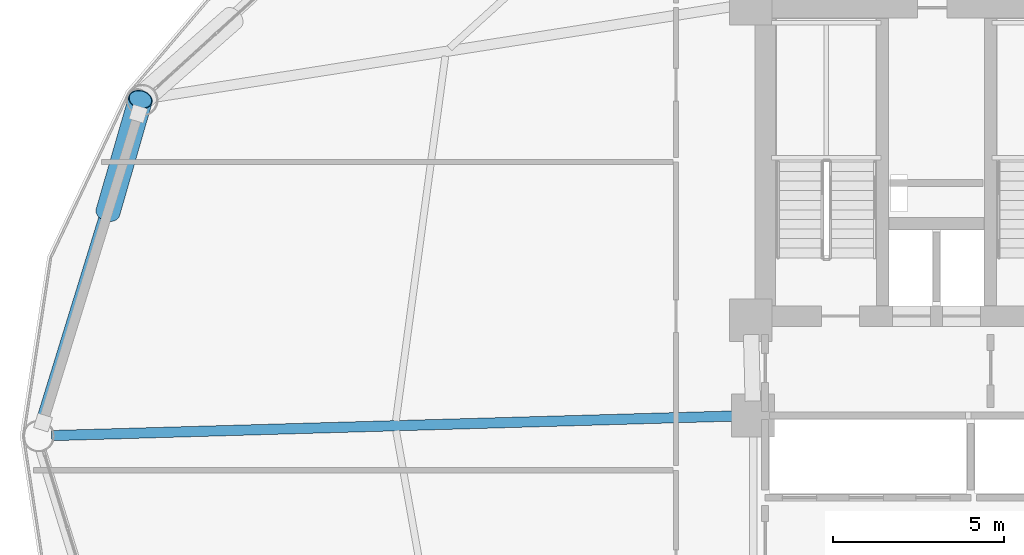
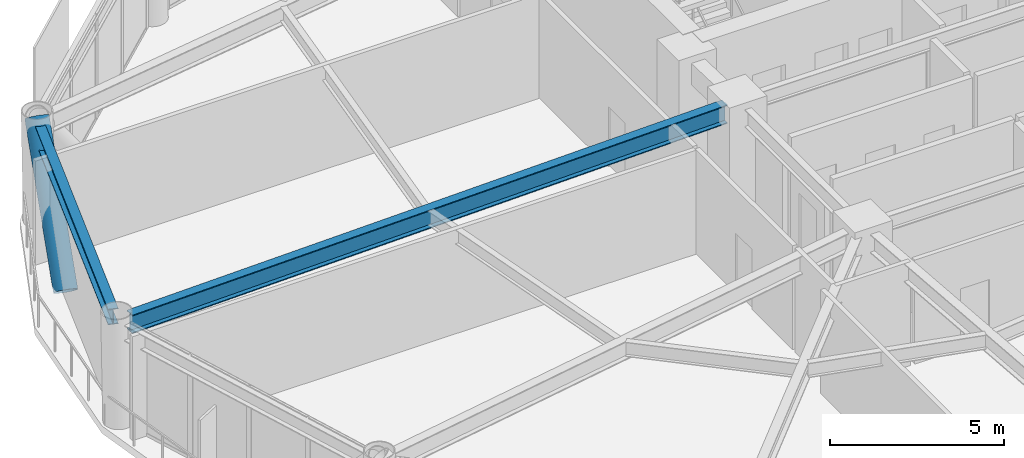
# One storey, part 9 of 25: 2 beams, 1 member.
"""IFC4 building model written with IfcOpenShell, lengths in metres."""

from ifc_helpers import new_model, si_unit, direction, frame, origin, origin_2d, place, context, subcontext, project, spatial, hollow_circle, i_section, extrude, material, material_profile, profile_set, type_object, element, save


model = new_model("IFC4")

# Units and contexts
model_context = context("Model", 3, precision=1e-05, world=origin(), true_north=direction((0.0, 1.0)))
body_context = subcontext(model_context, "Body", "Model", "MODEL_VIEW")
ifc_project = project(units=[si_unit("LENGTHUNIT", "METRE"), si_unit("AREAUNIT", "SQUARE_METRE"), si_unit("VOLUMEUNIT", "CUBIC_METRE"), si_unit("PLANEANGLEUNIT", "RADIAN"), si_unit("MASSUNIT", "GRAM", prefix="KILO")], contexts=[model_context])

# Site, building, storey
site_placement = place(None, origin())
site = spatial("IfcSite", under=ifc_project, at=site_placement, CompositionType="ELEMENT")
building_placement = place(site_placement, origin())
building = spatial("IfcBuilding", under=site, at=building_placement, Name="Varnakorn Sky Granary", CompositionType="ELEMENT")
storey_placement = place(building_placement, frame((0.0, 0.0, 70.5)))
storey = spatial("IfcBuildingStorey", under=building, at=storey_placement, Name="L17", CompositionType="ELEMENT", Elevation=70.5)

# Beams
ifc_material_1 = material(Name="Steel S355JR", Category="steel")
ifc_material_profile_1 = material_profile(ifc_material_1, i_section(OverallWidth=0.300048828125, OverallDepth=0.64990234375, WebThickness=0.01611328125, FlangeThickness=0.031005859375, at=origin_2d()), Name="HE 650 B")
ifc_profile_set_1 = profile_set([ifc_material_profile_1], Name="Steel S355JR")
beam_type_1 = type_object("IfcBeamType", Name="BM-RAD-Z1", PredefinedType="BEAM", material=ifc_profile_set_1)
beam_1_placement = place(storey_placement, frame((-2.769775390625, 0.587890625, 3.31494140625), z_axis=(-0.999588773868, -0.028675480064, 0.0), x_axis=(0.028675480064, -0.999588773868, 0.0)))
element("IfcBeam", 1, at=beam_1_placement, inside=storey, type_object=beam_type_1, Name="Radial Floor Girder RG07 L17", PredefinedType="BEAM", context=body_context, shape_type="SweptSolid", body=[
    extrude(i_section(OverallWidth=0.300048828125, OverallDepth=0.64990234375, WebThickness=0.01611328125, FlangeThickness=0.031005859375, at=origin_2d()), origin(), (0.0, 0.0, 1.0), 20.058837890625),
])
ifc_material_profile_2 = material_profile(ifc_material_1, i_section(OverallWidth=0.300048828125, OverallDepth=0.550048828125, WebThickness=0.014892578125, FlangeThickness=0.029052734375, at=origin_2d()), Name="HE 550 B")
ifc_profile_set_2 = profile_set([ifc_material_profile_2], Name="Steel S355JR")
beam_type_2 = type_object("IfcBeamType", Name="BM-SPD-Z1", PredefinedType="SPANDREL", material=ifc_profile_set_2)
beam_2_placement = place(storey_placement, frame((-20.35986328125, 9.400634765625, 3.364990234375), z_axis=(-0.29497853302, -0.95550388019, 0.0), x_axis=(0.95550388019, -0.29497853302, 0.0)))
element("IfcBeam", 2, at=beam_2_placement, inside=storey, type_object=beam_type_2, Name="Perimeter Spandrel Ring Beam RB06 L17", PredefinedType="SPANDREL", context=body_context, shape_type="SweptSolid", body=[
    extrude(i_section(OverallWidth=0.300048828125, OverallDepth=0.550048828125, WebThickness=0.014892578125, FlangeThickness=0.029052734375, at=origin_2d()), origin(), (0.0, 0.0, 1.0), 9.396484375),
])

# Member
ifc_material_2 = material(Name="Steel S460M", Category="steel")
ifc_material_profile_3 = material_profile(ifc_material_2, hollow_circle(Radius=0.35546875, WallThickness=0.02490234375, at=origin_2d()), Name="CHS 711x25")
ifc_profile_set_3 = profile_set([ifc_material_profile_3], Name="Steel S460M")
member_type = type_object("IfcMemberType", Name="MB-DIAG-T0", PredefinedType="BRACE", material=ifc_profile_set_3)
member_placement = place(storey_placement, frame((-21.178466796875, 6.53125, -0.1298828125), z_axis=(0.186297902917, 0.646219352979, 0.740063267028), x_axis=(-0.960867739521, 0.277007557926, 0.0)))
element("IfcMember", 3, at=member_placement, inside=storey, type_object=member_type, Name="Perimeter CHS Diagrid Brace DG06 L17", PredefinedType="BRACE", context=body_context, shape_type="SweptSolid", body=[
    extrude(hollow_circle(Radius=0.35546875, WallThickness=0.02490234375, at=origin_2d()), origin(), (0.0, 0.0, 1.0), 5.09375),
])

save(model, "model.ifc")
